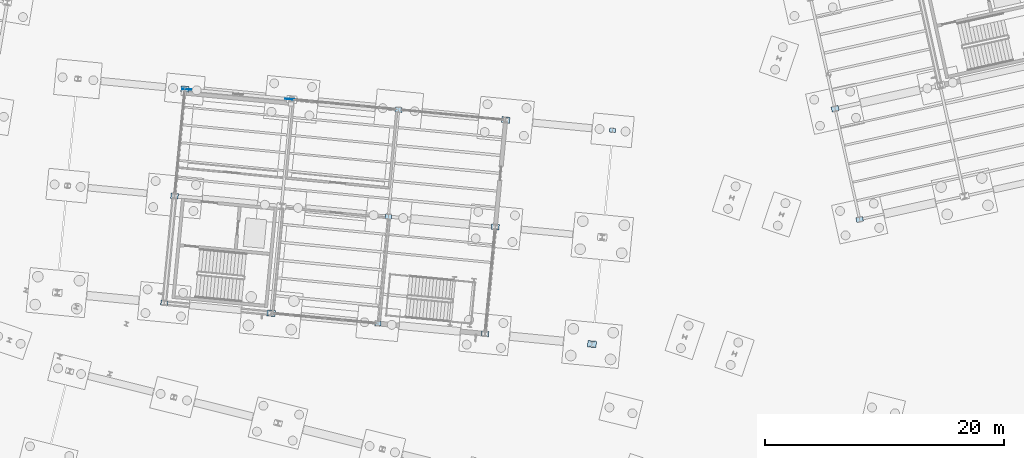
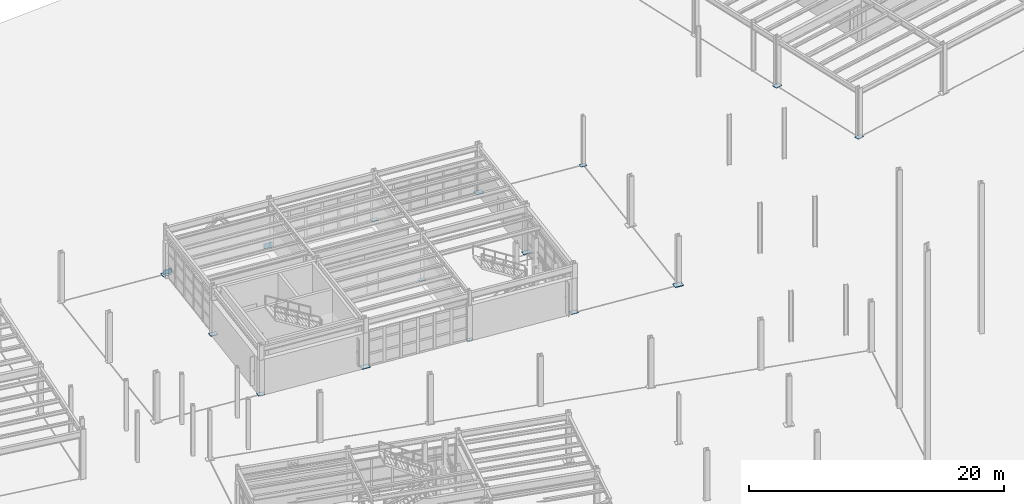
# One storey, part 79 of 108: 16 plates.
"""IFC4 building model written with IfcOpenShell, lengths in metres."""

from ifc_helpers import new_model, si_unit, direction, frame, origin, origin_2d, place, context, subcontext, project, spatial, rectangle, extrude, material, layer, layer_set, type_object, element, save


model = new_model("IFC4")

# Units and contexts
model_context = context("Model", 3, precision=1e-05, world=origin(), true_north=direction((0.0, 1.0)))
body_context = subcontext(model_context, "Body", "Model", "MODEL_VIEW")
ifc_project = project(units=[si_unit("LENGTHUNIT", "METRE"), si_unit("AREAUNIT", "SQUARE_METRE"), si_unit("VOLUMEUNIT", "CUBIC_METRE"), si_unit("PLANEANGLEUNIT", "RADIAN"), si_unit("MASSUNIT", "GRAM", prefix="KILO")], contexts=[model_context])

# Site, building, storey
site_placement = place(None, origin())
site = spatial("IfcSite", under=ifc_project, at=site_placement, CompositionType="ELEMENT")
building_placement = place(site_placement, origin())
building = spatial("IfcBuilding", under=site, at=building_placement, Name="Vireo Bluff Cable Station", CompositionType="ELEMENT")
storey_placement = place(building_placement, origin())
storey = spatial("IfcBuildingStorey", under=building, at=storey_placement, Name="L00", CompositionType="ELEMENT", Elevation=0.0)

# Plates
ifc_material = material(Name="Steel ASTM A572 Gr. 50", Category="steel")
ifc_layer_1 = layer(ifc_material, 0.02490234375, Name="Steel ASTM A572 Gr. 50")
ifc_layer_set_1 = layer_set([ifc_layer_1], Name="Steel ASTM A572 Gr. 50")
plate_type_1 = type_object("IfcPlateType", Name="BASEPLATE-480X340X25", PredefinedType="SHEET", material=ifc_layer_set_1)
plate_1_placement = place(storey_placement, frame((85.6552734375, 65.278564453125, 0.0), z_axis=(0.0, 0.0, 1.0), x_axis=(0.995396198367, -0.09584575252, 0.0)))
element("IfcPlate", 1, at=plate_1_placement, inside=storey, type_object=plate_type_1, Name="V3 column baseplate 128", PredefinedType="SHEET", context=body_context, shape_type="SweptSolid", body=[
    extrude(rectangle(XDim=0.47998046875, YDim=0.340087890625, at=origin_2d()), origin(), (0.0, 0.0, 1.0), 0.02490234375),
])
ifc_layer_2 = layer(ifc_material, 0.02587890625, Name="Steel ASTM A572 Gr. 50")
ifc_layer_set_2 = layer_set([ifc_layer_2], Name="Steel ASTM A572 Gr. 50")
plate_type_2 = type_object("IfcPlateType", Name="BASEPLATE-500X360X26", PredefinedType="SHEET", material=ifc_layer_set_2)
plate_2_placement = place(storey_placement, frame((105.297607421875, 81.470458984375, 0.0), z_axis=(0.0, 0.0, 1.0), x_axis=(0.995396198367, -0.09584575252, 0.0)))
element("IfcPlate", 2, at=plate_2_placement, inside=storey, type_object=plate_type_2, Name="V3 column baseplate 136", PredefinedType="SHEET", context=body_context, shape_type="SweptSolid", body=[
    extrude(rectangle(XDim=0.5, YDim=0.360107421875, at=origin_2d()), origin(), (0.0, 0.0, 1.0), 0.02587890625),
])
ifc_layer_3 = layer(ifc_material, 0.028076171875, Name="Steel ASTM A572 Gr. 50")
ifc_layer_set_3 = layer_set([ifc_layer_3], Name="Steel ASTM A572 Gr. 50")
plate_type_3 = type_object("IfcPlateType", Name="BASEPLATE-520X380X28", PredefinedType="SHEET", material=ifc_layer_set_3)
plate_3_placement = place(storey_placement, frame((86.517822265625, 74.2373046875, 0.0), z_axis=(0.0, 0.0, 1.0), x_axis=(0.995396198367, -0.09584575252, 0.0)))
element("IfcPlate", 3, at=plate_3_placement, inside=storey, type_object=plate_type_3, Name="V3 column baseplate 129", PredefinedType="SHEET", context=body_context, shape_type="SweptSolid", body=[
    extrude(rectangle(XDim=0.52001953125, YDim=0.3798828125, at=origin_2d()), origin(), (0.0, 0.0, 1.0), 0.028076171875),
])
ifc_layer_4 = layer(ifc_material, 0.031982421875, Name="Steel ASTM A572 Gr. 50")
ifc_layer_set_4 = layer_set([ifc_layer_4], Name="Steel ASTM A572 Gr. 50")
plate_type_4 = type_object("IfcPlateType", Name="BASEPLATE-560X400X32", PredefinedType="SHEET", material=ifc_layer_set_4)
for number, where, z_axis, x_axis, name in (
    (4, (126.0, 74.0, 0.0), (0.0, 0.0, 1.0), (0.97629600712, 0.216439613938, 0.0), "V2 column baseplate 66"),
    (5, (87.38037109375, 83.19580078125, 0.0), (0.0, 0.0, 1.0), (0.995396198367, -0.09584575252, 0.0), "V3 column baseplate 130"),
):
    element("IfcPlate", number, at=place(storey_placement, frame(where, z_axis=z_axis, x_axis=x_axis)), inside=storey, type_object=plate_type_4, Name=name, PredefinedType="SHEET", context=body_context, shape_type="SweptSolid", body=[
        extrude(rectangle(XDim=0.56005859375, YDim=0.39990234375, at=origin_2d()), origin(), (0.0, 0.0, 1.0), 0.031982421875),
    ])
ifc_layer_5 = layer(ifc_material, 0.033935546875, Name="Steel ASTM A572 Gr. 50")
ifc_layer_set_5 = layer_set([ifc_layer_5], Name="Steel ASTM A572 Gr. 50")
plate_type_5 = type_object("IfcPlateType", Name="BASEPLATE-580X420X34", PredefinedType="SHEET", material=ifc_layer_set_5)
plate_4_placement = place(storey_placement, frame((67.738037109375, 67.00390625, 0.0), z_axis=(0.0, 0.0, 1.0), x_axis=(0.995396198367, -0.09584575252, 0.0)))
element("IfcPlate", 6, at=plate_4_placement, inside=storey, type_object=plate_type_5, Name="V3 column baseplate 122", PredefinedType="SHEET", context=body_context, shape_type="SweptSolid", body=[
    extrude(rectangle(XDim=0.580078125, YDim=0.419921875, at=origin_2d()), origin(), (0.0, 0.0, 1.0), 0.033935546875),
])
ifc_layer_6 = layer(ifc_material, 0.035888671875, Name="Steel ASTM A572 Gr. 50")
ifc_layer_set_6 = layer_set([ifc_layer_6], Name="Steel ASTM A572 Gr. 50")
plate_type_6 = type_object("IfcPlateType", Name="BASEPLATE-600X440X36", PredefinedType="SHEET", material=ifc_layer_set_6)
for number, where, z_axis, x_axis, name in (
    (7, (123.94384765625, 83.27490234375, 0.0), (0.0, 0.0, 1.0), (0.97629600712, 0.216439613938, 0.0), "V2 column baseplate 67"),
    (8, (94.61376953125, 64.416015625, 0.0), (0.0, 0.0, 1.0), (0.995396198367, -0.09584575252, 0.0), "V3 column baseplate 131"),
):
    element("IfcPlate", number, at=place(storey_placement, frame(where, z_axis=z_axis, x_axis=x_axis)), inside=storey, type_object=plate_type_6, Name=name, PredefinedType="SHEET", context=body_context, shape_type="SweptSolid", body=[
        extrude(rectangle(XDim=0.60009765625, YDim=0.43994140625, at=origin_2d()), origin(), (0.0, 0.0, 1.0), 0.035888671875),
    ])
ifc_layer_7 = layer(ifc_material, 0.0380859375, Name="Steel ASTM A572 Gr. 50")
ifc_layer_set_7 = layer_set([ifc_layer_7], Name="Steel ASTM A572 Gr. 50")
plate_type_7 = type_object("IfcPlateType", Name="BASEPLATE-620X450X38", PredefinedType="SHEET", material=ifc_layer_set_7)
plate_5_placement = place(storey_placement, frame((68.6005859375, 75.96240234375, 0.0), z_axis=(0.0, 0.0, 1.0), x_axis=(0.995396198367, -0.09584575252, 0.0)))
element("IfcPlate", 9, at=plate_5_placement, inside=storey, type_object=plate_type_7, Name="V3 column baseplate 123", PredefinedType="SHEET", context=body_context, shape_type="SweptSolid", body=[
    extrude(rectangle(XDim=0.6201171875, YDim=0.449951171875, at=origin_2d()), origin(), (0.0, 0.0, 1.0), 0.0380859375),
])
ifc_layer_8 = layer(ifc_material, 0.0400390625, Name="Steel ASTM A572 Gr. 50")
ifc_layer_set_8 = layer_set([ifc_layer_8], Name="Steel ASTM A572 Gr. 50")
plate_type_8 = type_object("IfcPlateType", Name="BASEPLATE-640X460X40", PredefinedType="SHEET", material=ifc_layer_set_8)
plate_6_placement = place(storey_placement, frame((95.476318359375, 73.37451171875, 0.0), z_axis=(0.0, 0.0, 1.0), x_axis=(0.995396198367, -0.09584575252, 0.0)))
element("IfcPlate", 10, at=plate_6_placement, inside=storey, type_object=plate_type_8, Name="V3 column baseplate 132", PredefinedType="SHEET", context=body_context, shape_type="SweptSolid", body=[
    extrude(rectangle(XDim=0.639892578125, YDim=0.4599609375, at=origin_2d()), origin(), (0.0, 0.0, 1.0), 0.0400390625),
])
ifc_layer_9 = layer(ifc_material, 0.041015625, Name="Steel ASTM A572 Gr. 50")
ifc_layer_set_9 = layer_set([ifc_layer_9], Name="Steel ASTM A572 Gr. 50")
plate_type_9 = type_object("IfcPlateType", Name="BASEPLATE-660X480X41", PredefinedType="SHEET", material=ifc_layer_set_9)
plate_7_placement = place(storey_placement, frame((69.46337890625, 84.9208984375, 0.0), z_axis=(0.0, 0.0, 1.0), x_axis=(0.995396198367, -0.09584575252, 0.0)))
element("IfcPlate", 11, at=plate_7_placement, inside=storey, type_object=plate_type_9, Name="V3 column baseplate 124", PredefinedType="SHEET", context=body_context, shape_type="SweptSolid", body=[
    extrude(rectangle(XDim=0.659912109375, YDim=0.47998046875, at=origin_2d()), origin(), (0.0, 0.0, 1.0), 0.041015625),
])
ifc_layer_10 = layer(ifc_material, 0.0419921875, Name="Steel ASTM A572 Gr. 50")
ifc_layer_set_10 = layer_set([ifc_layer_10], Name="Steel ASTM A572 Gr. 50")
plate_type_10 = type_object("IfcPlateType", Name="BASEPLATE-680X500X42", PredefinedType="SHEET", material=ifc_layer_set_10)
plate_8_placement = place(storey_placement, frame((96.339111328125, 82.333251953125, 0.0), z_axis=(0.0, 0.0, 1.0), x_axis=(0.995396198367, -0.09584575252, 0.0)))
element("IfcPlate", 12, at=plate_8_placement, inside=storey, type_object=plate_type_10, Name="V3 column baseplate 133", PredefinedType="SHEET", context=body_context, shape_type="SweptSolid", body=[
    extrude(rectangle(XDim=0.679931640625, YDim=0.5, at=origin_2d()), origin(), (0.0, 0.0, 1.0), 0.0419921875),
])
ifc_layer_11 = layer(ifc_material, 0.0439453125, Name="Steel ASTM A572 Gr. 50")
ifc_layer_set_11 = layer_set([ifc_layer_11], Name="Steel ASTM A572 Gr. 50")
plate_type_11 = type_object("IfcPlateType", Name="BASEPLATE-700X510X44", PredefinedType="SHEET", material=ifc_layer_set_11)
plate_9_placement = place(storey_placement, frame((76.69677734375, 66.141357421875, 0.0), z_axis=(0.0, 0.0, 1.0), x_axis=(0.995396198367, -0.09584575252, 0.0)))
element("IfcPlate", 13, at=plate_9_placement, inside=storey, type_object=plate_type_11, Name="V3 column baseplate 125", PredefinedType="SHEET", context=body_context, shape_type="SweptSolid", body=[
    extrude(rectangle(XDim=0.699951171875, YDim=0.510009765625, at=origin_2d()), origin(), (0.0, 0.0, 1.0), 0.0439453125),
])
ifc_layer_12 = layer(ifc_material, 0.044921875, Name="Steel ASTM A572 Gr. 50")
ifc_layer_set_12 = layer_set([ifc_layer_12], Name="Steel ASTM A572 Gr. 50")
plate_type_12 = type_object("IfcPlateType", Name="BASEPLATE-720X540X45", PredefinedType="SHEET", material=ifc_layer_set_12)
plate_10_placement = place(storey_placement, frame((103.572265625, 63.553466796875, 0.0), z_axis=(0.0, 0.0, 1.0), x_axis=(0.995396198367, -0.09584575252, 0.0)))
element("IfcPlate", 14, at=plate_10_placement, inside=storey, type_object=plate_type_12, Name="V3 column baseplate 134", PredefinedType="SHEET", context=body_context, shape_type="SweptSolid", body=[
    extrude(rectangle(XDim=0.719970703125, YDim=0.5400390625, at=origin_2d()), origin(), (0.0, 0.0, 1.0), 0.044921875),
])
ifc_layer_13 = layer(ifc_material, 0.031005859375, Name="Steel ASTM A572 Gr. 50")
ifc_layer_set_13 = layer_set([ifc_layer_13], Name="Steel ASTM A572 Gr. 50")
plate_type_13 = type_object("IfcPlateType", Name="GUSSET-720X490X31", PredefinedType="USERDEFINED", material=ifc_layer_set_13)
plate_11_placement = place(storey_placement, frame((69.62255859375, 84.90576171875, -0.02490234375), z_axis=(0.0, 0.0, 1.0), x_axis=(0.995396198367, -0.09584575252, 0.0)))
element("IfcPlate", 15, at=plate_11_placement, inside=storey, type_object=plate_type_13, Name="V3 L00 brace base gusset plate 137", ObjectType="GUSSET PLATE", PredefinedType="USERDEFINED", context=body_context, shape_type="SweptSolid", body=[
    extrude(rectangle(XDim=0.719970703125, YDim=0.031005859375, at=origin_2d()), origin(), (0.0, 0.0, 1.0), 0.489990234375),
])
ifc_layer_14 = layer(ifc_material, 0.032958984375, Name="Steel ASTM A572 Gr. 50")
ifc_layer_set_14 = layer_set([ifc_layer_14], Name="Steel ASTM A572 Gr. 50")
plate_type_14 = type_object("IfcPlateType", Name="GUSSET-760X530X33", PredefinedType="USERDEFINED", material=ifc_layer_set_14)
plate_12_placement = place(storey_placement, frame((78.2626953125, 84.07373046875, -0.044921875), z_axis=(0.0, 0.0, 1.0), x_axis=(0.995396198367, -0.09584575252, 0.0)))
element("IfcPlate", 16, at=plate_12_placement, inside=storey, type_object=plate_type_14, Name="V3 L00 brace base gusset plate 138", ObjectType="GUSSET PLATE", PredefinedType="USERDEFINED", context=body_context, shape_type="SweptSolid", body=[
    extrude(rectangle(XDim=0.760009765625, YDim=0.032958984375, at=origin_2d()), origin(), (0.0, 0.0, 1.0), 0.530029296875),
])

save(model, "model.ifc")
